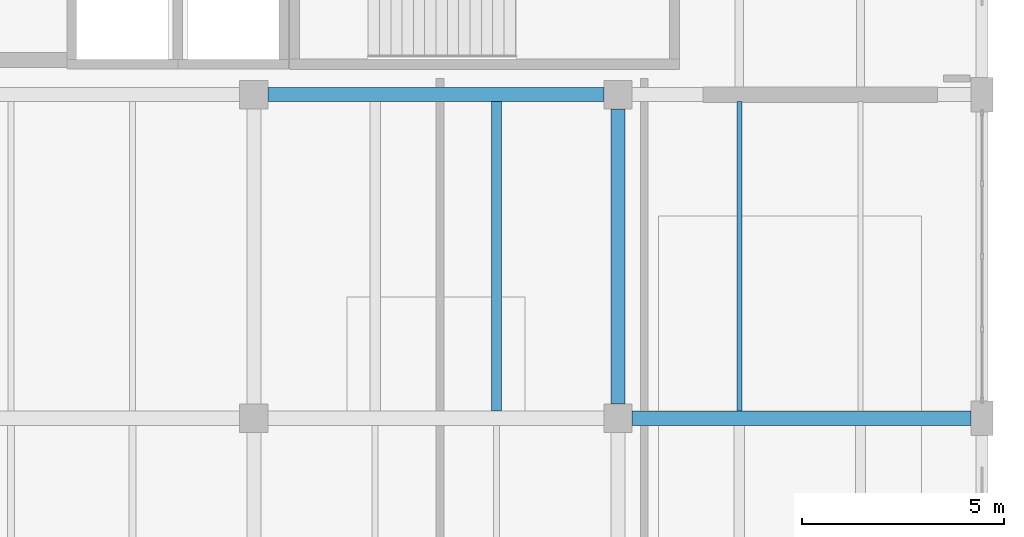
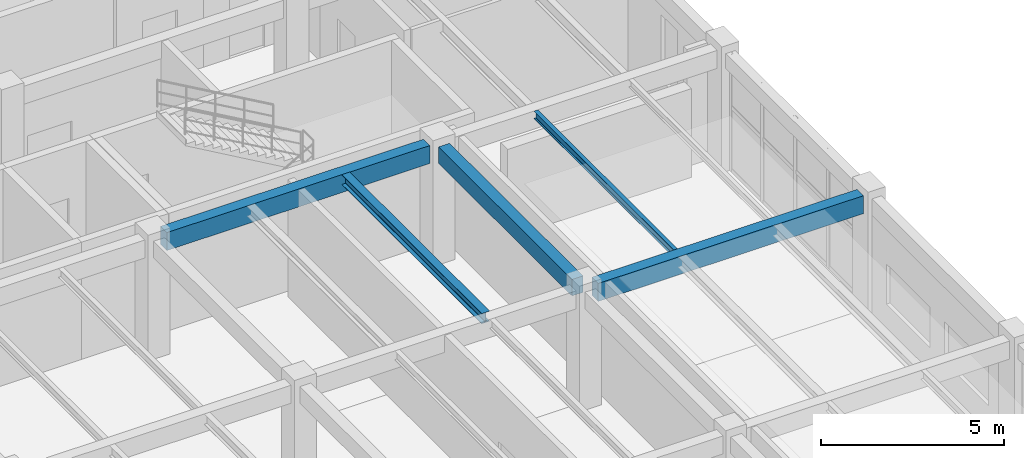
# One storey, part 32 of 71: 5 beams.
"""IFC4 building model written with IfcOpenShell, lengths in metres."""

from ifc_helpers import new_model, si_unit, derived_unit, direction, frame, origin, origin_2d, place, context, subcontext, project, spatial, rectangle, i_section, extrude, material, material_profile, profile_set, type_object, element, save


model = new_model("IFC4")

# Units and contexts
model_context = context("Model", 3, precision=1e-05, world=origin(), true_north=direction((0.0, 1.0)))
body_context = subcontext(model_context, "Body", "Model", "MODEL_VIEW")
ifc_project = project(units=[si_unit("LENGTHUNIT", "METRE"), si_unit("AREAUNIT", "SQUARE_METRE"), si_unit("VOLUMEUNIT", "CUBIC_METRE"), si_unit("PLANEANGLEUNIT", "RADIAN"), si_unit("MASSUNIT", "GRAM", prefix="KILO"), derived_unit("THERMALTRANSMITTANCEUNIT", [(si_unit("MASSUNIT", "GRAM", prefix="KILO"), 1), (si_unit("TIMEUNIT", "SECOND"), -3), (si_unit("THERMODYNAMICTEMPERATUREUNIT", "KELVIN"), -1)])], contexts=[model_context])

# Site, building, storey
site_placement = place(None, origin())
site = spatial("IfcSite", under=ifc_project, at=site_placement, CompositionType="ELEMENT")
building_placement = place(site_placement, origin())
building = spatial("IfcBuilding", under=site, at=building_placement, Name="Zhenchuan Archway Interchange", CompositionType="ELEMENT")
storey_placement = place(building_placement, frame((0.0, 0.0, 18.60009765625)))
storey = spatial("IfcBuildingStorey", under=building, at=storey_placement, Name="L04", CompositionType="ELEMENT", Elevation=18.60009765625)

# Beams
ifc_material_1 = material(Name="Concrete C40", Category="concrete")
ifc_material_profile_1 = material_profile(ifc_material_1, rectangle(XDim=0.35009765625, YDim=0.550048828125, at=origin_2d()), Name="RC 350x550")
ifc_profile_set_1 = profile_set([ifc_material_profile_1], Name="Concrete C40")
beam_type_1 = type_object("IfcBeamType", Name="BM_RC_350x550", PredefinedType="BEAM", material=ifc_profile_set_1)
beam_1_placement = place(storey_placement, frame((162.0, 40.35009765625, 3.664794921875), z_axis=(0.0, 1.0, 0.0), x_axis=(-1.0, 0.0, 0.0)))
element("IfcBeam", 1, at=beam_1_placement, inside=storey, type_object=beam_type_1, Name="Beam 19:F-G (L04)", PredefinedType="BEAM", context=body_context, shape_type="SweptSolid", body=[
    extrude(rectangle(XDim=0.35009765625, YDim=0.550048828125, at=origin_2d()), origin(), (0.0, 0.0, 1.0), 7.2998046875),
])
ifc_material_profile_2 = material_profile(ifc_material_1, rectangle(XDim=0.35009765625, YDim=0.60009765625, at=origin_2d()), Name="RC 350x600")
ifc_profile_set_2 = profile_set([ifc_material_profile_2], Name="Concrete C40")
beam_type_2 = type_object("IfcBeamType", Name="BM_RC_350x600", PredefinedType="BEAM", material=ifc_profile_set_2)
beam_2_placement = place(storey_placement, frame((162.35009765625, 40.0, 3.639892578125), z_axis=(1.0, 0.0, 0.0), x_axis=(0.0, 1.0, 0.0)))
element("IfcBeam", 2, at=beam_2_placement, inside=storey, type_object=beam_type_2, Name="Beam F:19-20 (L04)", PredefinedType="BEAM", context=body_context, shape_type="SweptSolid", body=[
    extrude(rectangle(XDim=0.35009765625, YDim=0.60009765625, at=origin_2d()), origin(), (0.0, 0.0, 1.0), 8.375),
])
beam_3_placement = place(storey_placement, frame((153.35009765625, 48.0, 3.639892578125), z_axis=(1.0, 0.0, 0.0), x_axis=(0.0, 1.0, 0.0)))
element("IfcBeam", 3, at=beam_3_placement, inside=storey, type_object=beam_type_2, Name="Beam G:18-19 (L04)", PredefinedType="BEAM", context=body_context, shape_type="SweptSolid", body=[
    extrude(rectangle(XDim=0.35009765625, YDim=0.60009765625, at=origin_2d()), origin(), (0.0, 0.0, 1.0), 8.2998046875),
])
ifc_material_2 = material(Name="Steel Q355", Category="steel")
ifc_material_profile_3 = material_profile(ifc_material_2, i_section(OverallWidth=0.25, OverallDepth=0.340087890625, WebThickness=0.009033203125, FlangeThickness=0.013916015625, FilletRadius=0.01806640625, at=origin_2d()), Name="HM 340x250")
ifc_profile_set_3 = profile_set([ifc_material_profile_3], Name="Steel Q355")
beam_type_3 = type_object("IfcBeamType", Name="JST_STL_HM340", PredefinedType="JOIST", material=ifc_profile_set_3)
beam_4_placement = place(storey_placement, frame((159.0, 40.175048828125, 3.77001953125), z_axis=(0.0, 1.0, 0.0), x_axis=(-1.0, 0.0, 0.0)))
element("IfcBeam", 4, at=beam_4_placement, inside=storey, type_object=beam_type_3, Name="Secondary joist 18-19/F-G #2 (L04)", PredefinedType="JOIST", context=body_context, shape_type="SweptSolid", body=[
    extrude(i_section(OverallWidth=0.25, OverallDepth=0.340087890625, WebThickness=0.009033203125, FlangeThickness=0.013916015625, FilletRadius=0.01806640625, at=origin_2d()), origin(), (0.0, 0.0, 1.0), 7.64990234375),
])
ifc_material_profile_4 = material_profile(ifc_material_2, i_section(OverallWidth=0.125, OverallDepth=0.25, WebThickness=0.006103515625, FlangeThickness=0.009033203125, FilletRadius=0.011962890625, at=origin_2d()), Name="HN 250x125")
ifc_profile_set_4 = profile_set([ifc_material_profile_4], Name="Steel Q355")
beam_type_4 = type_object("IfcBeamType", Name="JST_STL_HN250", PredefinedType="JOIST", material=ifc_profile_set_4)
beam_5_placement = place(storey_placement, frame((165.0, 40.175048828125, 3.81494140625), z_axis=(0.0, 1.0, 0.0), x_axis=(-1.0, 0.0, 0.0)))
element("IfcBeam", 5, at=beam_5_placement, inside=storey, type_object=beam_type_4, Name="Secondary joist 19-20/F-G #1 (L04)", PredefinedType="JOIST", context=body_context, shape_type="SweptSolid", body=[
    extrude(i_section(OverallWidth=0.125, OverallDepth=0.25, WebThickness=0.006103515625, FlangeThickness=0.009033203125, FilletRadius=0.011962890625, at=origin_2d()), origin(), (0.0, 0.0, 1.0), 7.64990234375),
])

save(model, "model.ifc")
